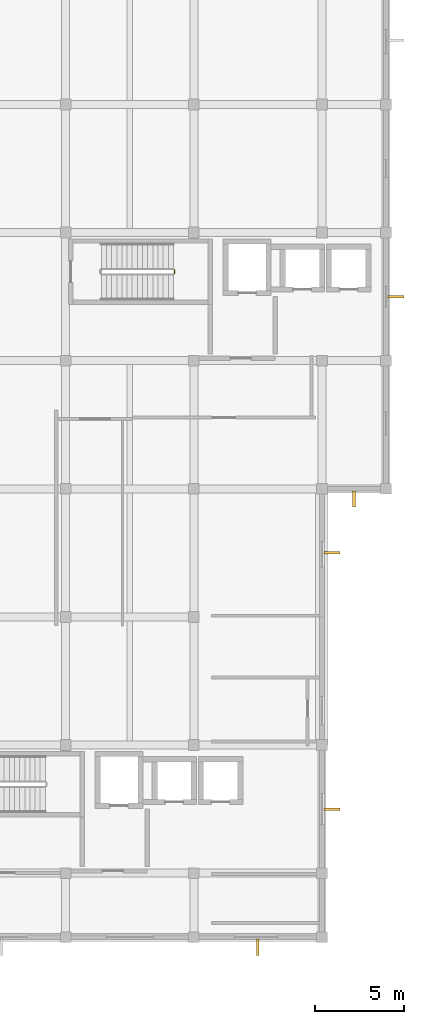
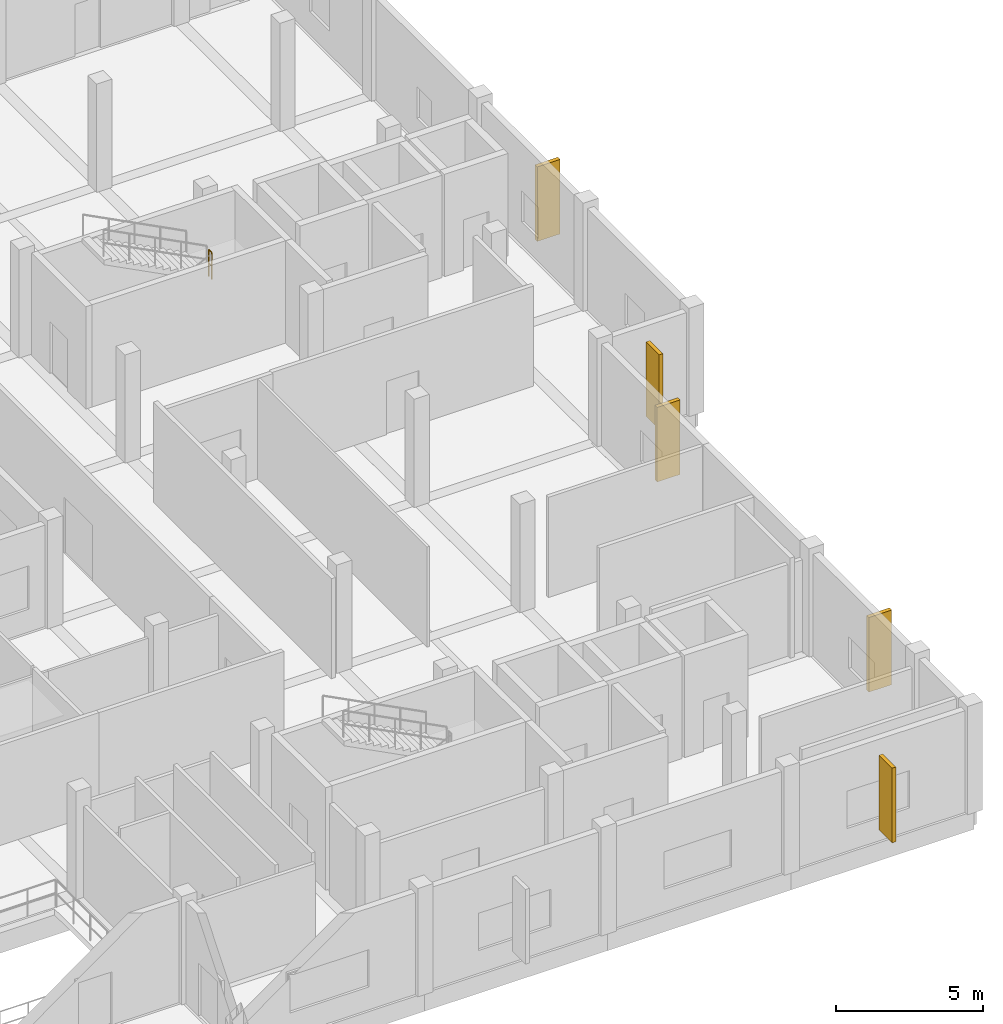
# One storey, part 13 of 14: 5 shading devices, 1 railing.
"""IFC4 building model written with IfcOpenShell, lengths in metres."""

from ifc_helpers import new_model, si_unit, direction, frame, origin, origin_2d, place, context, subcontext, project, spatial, rectangle, circle, extrude, material, type_object, element, save


model = new_model("IFC4")

# Units and contexts
model_context = context("Model", 3, precision=1e-05, world=origin(), true_north=direction((0.0, 1.0)))
body_context = subcontext(model_context, "Body", "Model", "MODEL_VIEW")
ifc_project = project(units=[si_unit("LENGTHUNIT", "METRE"), si_unit("AREAUNIT", "SQUARE_METRE"), si_unit("VOLUMEUNIT", "CUBIC_METRE"), si_unit("PLANEANGLEUNIT", "RADIAN"), si_unit("MASSUNIT", "GRAM", prefix="KILO")], contexts=[model_context])

# Site, building, storey
site_placement = place(None, origin())
site = spatial("IfcSite", under=ifc_project, at=site_placement, CompositionType="ELEMENT")
building_placement = place(site_placement, origin())
building = spatial("IfcBuilding", under=site, at=building_placement, Name="Seraya Terrace Polytechnic", CompositionType="ELEMENT")
storey_placement = place(building_placement, frame((0.0, 0.0, 27.89990234375)))
storey = spatial("IfcBuildingStorey", under=building, at=storey_placement, Name="L06", CompositionType="ELEMENT", Elevation=27.89990234375)

# Shading devices
ifc_material_1 = material(Name="Precast concrete C40/50", Category="concrete")
shading_device_type = type_object("IfcShadingDeviceType", Name="BS-F1", PredefinedType="JALOUSIE", material=ifc_material_1)
for number, where, z_axis, x_axis, name in (
    (1, (97.199951171875, 3.0400390625, 0.449951171875), (0.0, 0.0, 1.0), (0.0, -1.0, 0.0), "Precast concrete brise-soleil fin L06"),
    (2, (104.9599609375, 39.60009765625, 0.449951171875), (0.0, 0.0, 1.0), (1.0, 0.0, 0.0), "Precast concrete brise-soleil fin L06"),
    (3, (102.60009765625, 28.239990234375, 0.449951171875), (0.0, 0.0, 1.0), (0.0, -1.0, 0.0), "Precast concrete brise-soleil fin L06"),
    (4, (101.360107421875, 25.199951171875, 0.449951171875), (0.0, 0.0, 1.0), (1.0, 0.0, 0.0), "Precast concrete brise-soleil fin L06"),
    (5, (101.360107421875, 10.800048828125, 0.449951171875), (0.0, 0.0, 1.0), (1.0, 0.0, 0.0), "Precast concrete brise-soleil fin L06"),
):
    element("IfcShadingDevice", number, at=place(storey_placement, frame(where, z_axis=z_axis, x_axis=x_axis)), inside=storey, type_object=shading_device_type, Name=name, PredefinedType="JALOUSIE", context=body_context, shape_type="SweptSolid", body=[
        extrude(rectangle(XDim=0.89990234375, YDim=0.14990234375, at=origin_2d()), origin(), (0.0, 0.0, 1.0), 3.10009765625),
    ])

# Railing
ifc_material_2 = material(Name="Steel S355J2", Category="steel")
railing_type = type_object("IfcRailingType", Name="GR-02", PredefinedType="GUARDRAIL", material=ifc_material_2)
railing_placement = place(storey_placement, frame((92.510009765625, 40.89990234375, 2.25)))
element("IfcRailing", 6, at=railing_placement, inside=storey, type_object=railing_type, Name="L06 ST-02 stair guard 2", PredefinedType="GUARDRAIL", context=body_context, shape_type="SweptSolid", body=[
    extrude(circle(Radius=0.02392578125, at=origin_2d()), frame((0.0, 0.0, 1.10595703125), z_axis=(0.0, 1.0, 0.0), x_axis=(-1.0, 0.0, 0.0)), (0.0, 0.0, 1.0), 0.2001953125),
    extrude(circle(Radius=0.02392578125, at=origin_2d()), frame((0.0, 0.0, 0.550048828125), z_axis=(0.0, 1.0, 0.0), x_axis=(-1.0, 0.0, 0.0)), (0.0, 0.0, 1.0), 0.2001953125),
    extrude(circle(Radius=0.02099609375, at=origin_2d()), origin(), (0.0, 0.0, 1.0), 1.081787109375),
    extrude(circle(Radius=0.02099609375, at=origin_2d()), frame((0.0, 0.2001953125, 0.0)), (0.0, 0.0, 1.0), 1.081787109375),
])

save(model, "model.ifc")
